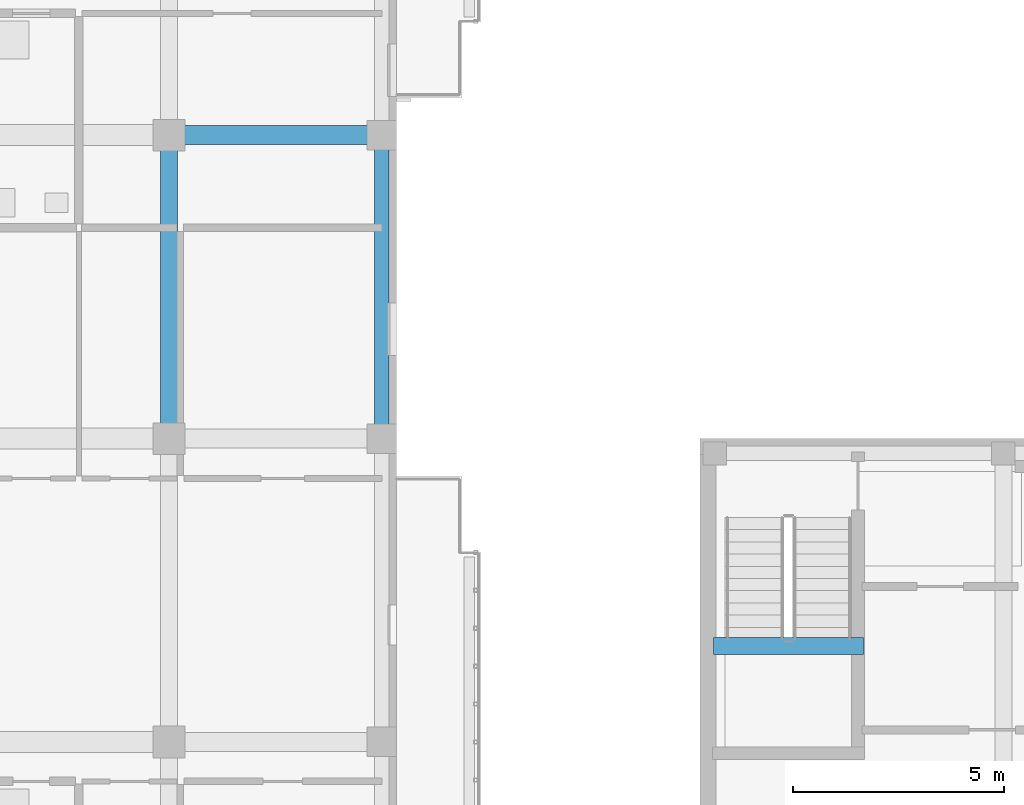
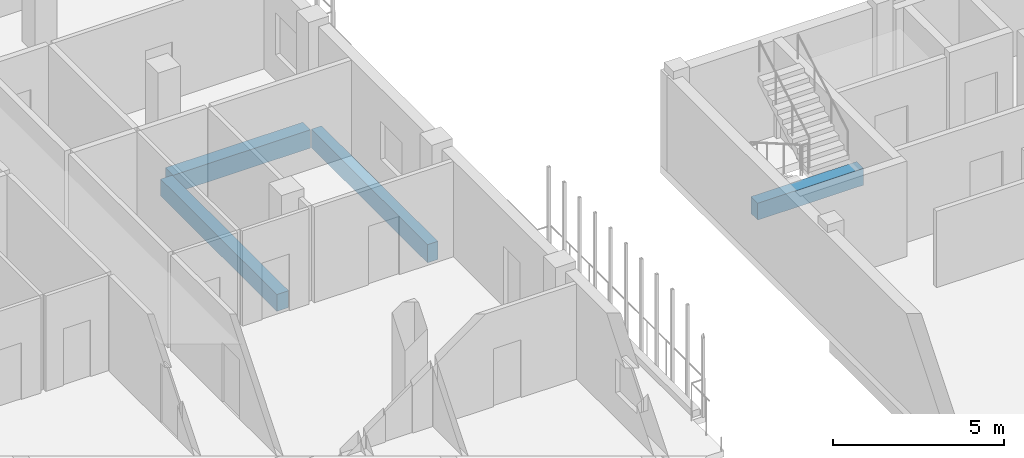
# One storey, part 7 of 73: 4 beams.
"""IFC4 building model written with IfcOpenShell, lengths in metres."""

from ifc_helpers import new_model, si_unit, derived_unit, direction, frame, origin, origin_2d, place, context, subcontext, project, spatial, rectangle, extrude, material, material_profile, profile_set, type_object, element, save


model = new_model("IFC4")

# Units and contexts
model_context = context("Model", 3, precision=1e-05, world=origin(), true_north=direction((0.0, 1.0)))
body_context = subcontext(model_context, "Body", "Model", "MODEL_VIEW")
ifc_project = project(units=[si_unit("LENGTHUNIT", "METRE"), si_unit("AREAUNIT", "SQUARE_METRE"), si_unit("VOLUMEUNIT", "CUBIC_METRE"), si_unit("PLANEANGLEUNIT", "RADIAN"), si_unit("MASSUNIT", "GRAM", prefix="KILO"), derived_unit("THERMALTRANSMITTANCEUNIT", [(si_unit("MASSUNIT", "GRAM", prefix="KILO"), 1), (si_unit("TIMEUNIT", "SECOND"), -3), (si_unit("THERMODYNAMICTEMPERATUREUNIT", "KELVIN"), -1)])], contexts=[model_context])

# Site, building, storey
site_placement = place(None, origin())
site = spatial("IfcSite", under=ifc_project, at=site_placement, CompositionType="ELEMENT")
building_placement = place(site_placement, origin())
building = spatial("IfcBuilding", under=site, at=building_placement, Name="Ochrekiln Boulevard Commons", CompositionType="ELEMENT")
storey_placement = place(building_placement, frame((0.0, 0.0, 4.89990234375)))
storey = spatial("IfcBuildingStorey", under=building, at=storey_placement, Name="L01", CompositionType="ELEMENT", Elevation=4.89990234375)

# Beams
ifc_material_1 = material(Name="Concrete C35/45", Category="concrete")
ifc_material_profile_1 = material_profile(ifc_material_1, rectangle(XDim=0.39990234375, YDim=0.60009765625, at=origin_2d()), Name="RC-BM-400x600")
ifc_profile_set_1 = profile_set([ifc_material_profile_1], Name="Concrete C35/45")
beam_type_1 = type_object("IfcBeamType", Name="BM-RC-400x600", PredefinedType="BEAM", material=ifc_profile_set_1)
beam_1_placement = place(storey_placement, frame((16.199951171875, 21.81005859375, -0.559814453125), z_axis=(0.0, 1.0, 0.0), x_axis=(-1.0, 0.0, 0.0)))
element("IfcBeam", 1, at=beam_1_placement, inside=storey, type_object=beam_type_1, Name="Block D L01 Beam B-4060 Y40", PredefinedType="BEAM", context=body_context, shape_type="SweptSolid", body=[
    extrude(rectangle(XDim=0.39990234375, YDim=0.60009765625, at=origin_2d()), origin(), (0.0, 0.0, 1.0), 6.780029296875),
])
beam_2_placement = place(storey_placement, frame((29.1201171875, 16.679931640625, 1.32763671875), z_axis=(1.0, 0.0, 0.0), x_axis=(0.0, 1.0, 0.0)))
element("IfcBeam", 2, at=beam_2_placement, inside=storey, type_object=beam_type_1, Name="Stair ST-W1 L01 Half-Landing Support Beam B-4060", PredefinedType="BEAM", context=body_context, shape_type="SweptSolid", body=[
    extrude(rectangle(XDim=0.39990234375, YDim=0.60009765625, at=origin_2d()), origin(), (0.0, 0.0, 1.0), 3.559814453125),
])
ifc_material_profile_2 = material_profile(ifc_material_1, rectangle(XDim=0.449951171875, YDim=0.64990234375, at=origin_2d()), Name="RC-BM-450x650")
ifc_profile_set_2 = profile_set([ifc_material_profile_2], Name="Concrete C35/45")
beam_type_2 = type_object("IfcBeamType", Name="BM-RC-450x650", PredefinedType="BEAM", material=ifc_profile_set_2)
beam_3_placement = place(storey_placement, frame((16.409912109375, 28.800048828125, -0.5849609375), z_axis=(1.0, 0.0, 0.0), x_axis=(0.0, 1.0, 0.0)))
element("IfcBeam", 3, at=beam_3_placement, inside=storey, type_object=beam_type_2, Name="Block D L01 Beam B-4565 X14", PredefinedType="BEAM", context=body_context, shape_type="SweptSolid", body=[
    extrude(rectangle(XDim=0.449951171875, YDim=0.64990234375, at=origin_2d()), origin(), (0.0, 0.0, 1.0), 4.630126953125),
])
ifc_material_2 = material(Name="Concrete C40/50", Category="concrete")
ifc_material_profile_3 = material_profile(ifc_material_2, rectangle(XDim=0.35009765625, YDim=0.64990234375, at=origin_2d()), Name="RC-SPN-350x650")
ifc_profile_set_3 = profile_set([ifc_material_profile_3], Name="Concrete C40/50")
beam_type_3 = type_object("IfcBeamType", Name="SPN-RC-350x650", PredefinedType="SPANDREL", material=ifc_profile_set_3)
beam_4_placement = place(storey_placement, frame((21.25, 21.81005859375, -0.5849609375), z_axis=(0.0, 1.0, 0.0), x_axis=(-1.0, 0.0, 0.0)))
element("IfcBeam", 4, at=beam_4_placement, inside=storey, type_object=beam_type_3, Name="Block D L01 Beam SP-3565 Y47", PredefinedType="SPANDREL", context=body_context, shape_type="SweptSolid", body=[
    extrude(rectangle(XDim=0.35009765625, YDim=0.64990234375, at=origin_2d()), origin(), (0.0, 0.0, 1.0), 6.780029296875),
])

save(model, "model.ifc")
